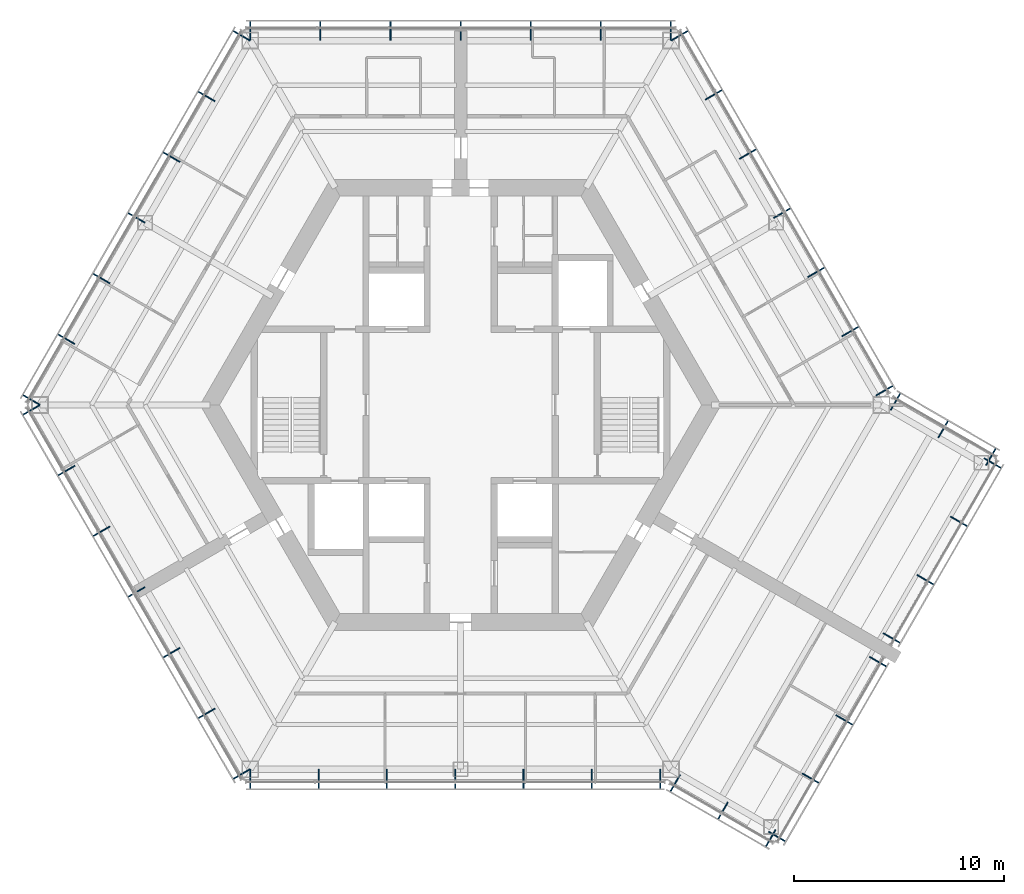
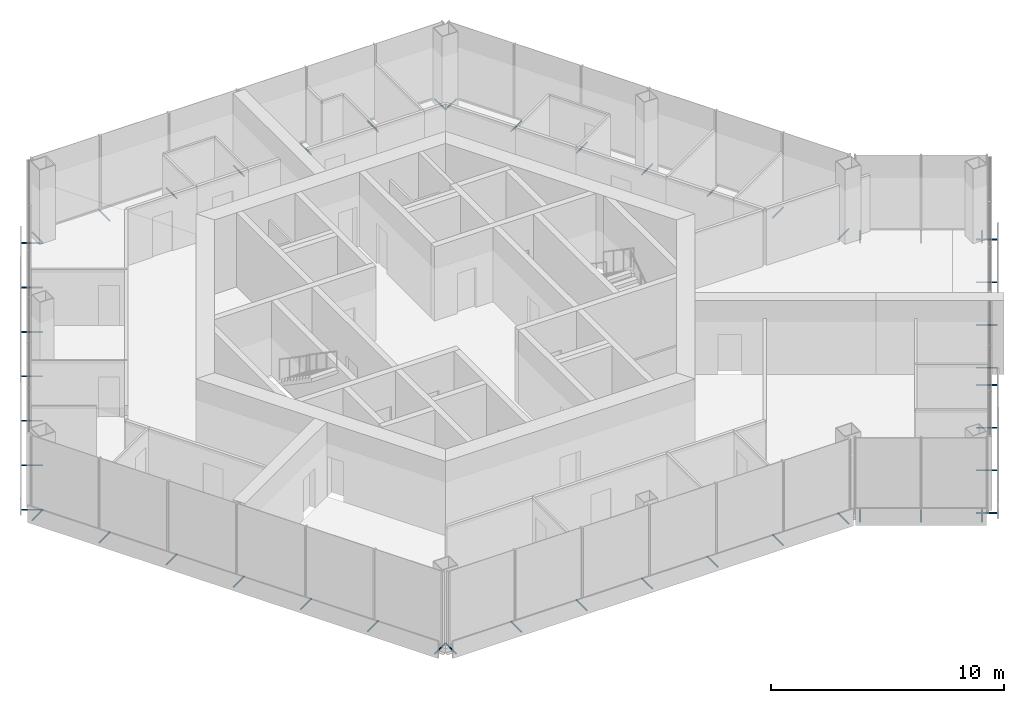
# One storey, part 11 of 13: 49 discrete accessories.
"""IFC4 building model written with IfcOpenShell, lengths in metres."""

from ifc_helpers import new_model, si_unit, direction, frame, origin, origin_2d, place, context, subcontext, project, spatial, hollow_circle, extrude, material, material_profile, profile_set, type_object, element, save


model = new_model("IFC4")

# Units and contexts
model_context = context("Model", 3, precision=1e-05, world=origin(), true_north=direction((0.0, 1.0)))
body_context = subcontext(model_context, "Body", "Model", "MODEL_VIEW")
ifc_project = project(units=[si_unit("LENGTHUNIT", "METRE"), si_unit("AREAUNIT", "SQUARE_METRE"), si_unit("VOLUMEUNIT", "CUBIC_METRE"), si_unit("PLANEANGLEUNIT", "RADIAN"), si_unit("MASSUNIT", "GRAM", prefix="KILO")], contexts=[model_context])

# Site, building, storey
site_placement = place(None, origin())
site = spatial("IfcSite", under=ifc_project, at=site_placement, CompositionType="ELEMENT")
building_placement = place(site_placement, origin())
building = spatial("IfcBuilding", under=site, at=building_placement, Name="Kasaneha Research Tower", CompositionType="ELEMENT")
storey_placement = place(building_placement, frame((0.0, 0.0, 279.10009765625)))
storey = spatial("IfcBuildingStorey", under=building, at=storey_placement, Name="L70", CompositionType="ELEMENT", Elevation=279.10009765625)

# Discrete accessories
ifc_material = material(Name="Steel STK400", Category="steel")
ifc_material_profile = material_profile(ifc_material, hollow_circle(Radius=0.0380859375, WallThickness=0.00390625, at=origin_2d()), Name="CHS-76.3x4.0")
ifc_profile_set = profile_set([ifc_material_profile], Name="Steel STK400")
discrete_accessory_type = type_object("IfcDiscreteAccessoryType", Name="Screen bracket CHS-76.3x4.0", PredefinedType="BRACKET", material=ifc_profile_set)
for number, where, z_axis, x_axis, name in (
    (1, (19.74462890625, 0.4423828125, -0.300048828125), (0.866013213425, 0.500021113727, 0.0), (-0.500021113727, 0.866013213425, 0.0), "Screen bracket 1"),
    (2, (18.120849609375, 3.2548828125, -0.300048828125), (0.866013213425, 0.500021113727, 0.0), (-0.500021113727, 0.866013213425, 0.0), "Screen bracket 2"),
    (3, (16.4970703125, 6.0673828125, -0.300048828125), (0.866013213425, 0.500021113727, 0.0), (-0.500021113727, 0.866013213425, 0.0), "Screen bracket 3"),
    (4, (14.873291015625, 8.8798828125, -0.300048828125), (0.866013213425, 0.500021113727, 0.0), (-0.500021113727, 0.866013213425, 0.0), "Screen bracket 4"),
    (5, (13.24951171875, 11.6923828125, -0.300048828125), (0.866013213425, 0.500021113727, 0.0), (-0.500021113727, 0.866013213425, 0.0), "Screen bracket 5"),
):
    element("IfcDiscreteAccessory", number, at=place(storey_placement, frame(where, z_axis=z_axis, x_axis=x_axis)), inside=storey, type_object=discrete_accessory_type, Name=name, PredefinedType="BRACKET", context=body_context, shape_type="SweptSolid", body=[
        extrude(hollow_circle(Radius=0.0380859375, WallThickness=0.00390625, at=origin_2d()), origin(), (0.0, 0.0, 1.0), 0.919921875),
    ])
for number, where, z_axis, x_axis, name in (
    (6, (11.62548828125, 14.5048828125, -0.300048828125), (0.866079547155, 0.499906209203, 0.0), (-0.499906209203, 0.866079547155, 0.0), "Screen bracket 6"),
    (7, (10.001708984375, 17.3173828125, -0.300048828125), (0.866079547155, 0.499906209203, 0.0), (-0.499906209203, 0.866079547155, 0.0), "Screen bracket 7"),
):
    element("IfcDiscreteAccessory", number, at=place(storey_placement, frame(where, z_axis=z_axis, x_axis=x_axis)), inside=storey, type_object=discrete_accessory_type, Name=name, PredefinedType="BRACKET", context=body_context, shape_type="SweptSolid", body=[
        extrude(hollow_circle(Radius=0.0380859375, WallThickness=0.00390625, at=origin_2d()), origin(), (0.0, 0.0, 1.0), 0.920166015625),
    ])
for number, where, z_axis, x_axis, name in (
    (8, (9.996337890625, 17.320556640625, -0.300048828125), (0.0, 1.0, 0.0), (-1.0, 0.0, 0.0), "Screen bracket 1"),
    (9, (6.664306640625, 17.320556640625, -0.300048828125), (0.0, 1.0, 0.0), (-1.0, 0.0, 0.0), "Screen bracket 2"),
    (10, (3.33203125, 17.320556640625, -0.300048828125), (0.0, 1.0, 0.0), (-1.0, 0.0, 0.0), "Screen bracket 3"),
    (11, (0.0, 17.320556640625, -0.300048828125), (0.0, 1.0, 0.0), (-1.0, 0.0, 0.0), "Screen bracket 4"),
    (12, (-3.33203125, 17.320556640625, -0.300048828125), (0.0, 1.0, 0.0), (-1.0, 0.0, 0.0), "Screen bracket 5"),
    (13, (-6.664306640625, 17.320556640625, -0.300048828125), (0.0, 1.0, 0.0), (-1.0, 0.0, 0.0), "Screen bracket 6"),
    (14, (-9.996337890625, 17.320556640625, -0.300048828125), (0.0, 1.0, 0.0), (-1.0, 0.0, 0.0), "Screen bracket 7"),
):
    element("IfcDiscreteAccessory", number, at=place(storey_placement, frame(where, z_axis=z_axis, x_axis=x_axis)), inside=storey, type_object=discrete_accessory_type, Name=name, PredefinedType="BRACKET", context=body_context, shape_type="SweptSolid", body=[
        extrude(hollow_circle(Radius=0.0380859375, WallThickness=0.00390625, at=origin_2d()), origin(), (0.0, 0.0, 1.0), 0.919921875),
    ])
discrete_accessory_1_placement = place(storey_placement, frame((-10.001708984375, 17.3173828125, -0.300048828125), z_axis=(-0.866079547155, 0.499906209203, 0.0), x_axis=(-0.499906209203, -0.866079547155, 0.0)))
element("IfcDiscreteAccessory", 15, at=discrete_accessory_1_placement, inside=storey, type_object=discrete_accessory_type, Name="Screen bracket 1", PredefinedType="BRACKET", context=body_context, shape_type="SweptSolid", body=[
    extrude(hollow_circle(Radius=0.0380859375, WallThickness=0.00390625, at=origin_2d()), origin(), (0.0, 0.0, 1.0), 0.920166015625),
])
for number, where, z_axis, x_axis, name in (
    (16, (-11.66796875, 14.431640625, -0.300048828125), (-0.866013213425, 0.500021113727, 0.0), (-0.500021113727, -0.866013213425, 0.0), "Screen bracket 2"),
    (17, (-13.333984375, 11.5458984375, -0.300048828125), (-0.866013213425, 0.500021113727, 0.0), (-0.500021113727, -0.866013213425, 0.0), "Screen bracket 3"),
    (18, (-15.0, 8.66015625, -0.300048828125), (-0.865898279276, 0.500220121494, 0.0), (-0.500220121494, -0.865898279276, 0.0), "Screen bracket 4"),
):
    element("IfcDiscreteAccessory", number, at=place(storey_placement, frame(where, z_axis=z_axis, x_axis=x_axis)), inside=storey, type_object=discrete_accessory_type, Name=name, PredefinedType="BRACKET", context=body_context, shape_type="SweptSolid", body=[
        extrude(hollow_circle(Radius=0.0380859375, WallThickness=0.00390625, at=origin_2d()), origin(), (0.0, 0.0, 1.0), 0.919921875),
    ])
for number, where, z_axis, x_axis, name in (
    (19, (-16.666015625, 5.774658203125, -0.300048828125), (-0.866079547155, 0.499906209203, 0.0), (-0.499906209203, -0.866079547155, 0.0), "Screen bracket 5"),
    (20, (-18.33203125, 2.888916015625, -0.300048828125), (-0.866079547155, 0.499906209203, 0.0), (-0.499906209203, -0.866079547155, 0.0), "Screen bracket 6"),
):
    element("IfcDiscreteAccessory", number, at=place(storey_placement, frame(where, z_axis=z_axis, x_axis=x_axis)), inside=storey, type_object=discrete_accessory_type, Name=name, PredefinedType="BRACKET", context=body_context, shape_type="SweptSolid", body=[
        extrude(hollow_circle(Radius=0.0380859375, WallThickness=0.00390625, at=origin_2d()), origin(), (0.0, 0.0, 1.0), 0.920166015625),
    ])
for number, where, z_axis, x_axis, name in (
    (21, (-19.998291015625, 0.003173828125, -0.300048828125), (-0.866013213425, 0.500021113727, 0.0), (-0.500021113727, -0.866013213425, 0.0), "Screen bracket 7"),
    (22, (-19.998291015625, -0.003173828125, -0.300048828125), (-0.866013213425, -0.500021113727, 0.0), (0.500021113727, -0.866013213425, 0.0), "Screen bracket 1"),
):
    element("IfcDiscreteAccessory", number, at=place(storey_placement, frame(where, z_axis=z_axis, x_axis=x_axis)), inside=storey, type_object=discrete_accessory_type, Name=name, PredefinedType="BRACKET", context=body_context, shape_type="SweptSolid", body=[
        extrude(hollow_circle(Radius=0.0380859375, WallThickness=0.00390625, at=origin_2d()), origin(), (0.0, 0.0, 1.0), 0.919921875),
    ])
for number, where, z_axis, x_axis, name in (
    (23, (-18.33203125, -2.888916015625, -0.300048828125), (-0.866079547155, -0.499906209203, 0.0), (0.499906209203, -0.866079547155, 0.0), "Screen bracket 2"),
    (24, (-16.666015625, -5.774658203125, -0.300048828125), (-0.866079547155, -0.499906209203, 0.0), (0.499906209203, -0.866079547155, 0.0), "Screen bracket 3"),
):
    element("IfcDiscreteAccessory", number, at=place(storey_placement, frame(where, z_axis=z_axis, x_axis=x_axis)), inside=storey, type_object=discrete_accessory_type, Name=name, PredefinedType="BRACKET", context=body_context, shape_type="SweptSolid", body=[
        extrude(hollow_circle(Radius=0.0380859375, WallThickness=0.00390625, at=origin_2d()), origin(), (0.0, 0.0, 1.0), 0.920166015625),
    ])
for number, where, z_axis, x_axis, name in (
    (25, (-15.0, -8.66015625, -0.300048828125), (-0.865898279276, -0.500220121494, 0.0), (0.500220121494, -0.865898279276, 0.0), "Screen bracket 4"),
    (26, (-13.333984375, -11.5458984375, -0.300048828125), (-0.866013213425, -0.500021113727, 0.0), (0.500021113727, -0.866013213425, 0.0), "Screen bracket 5"),
    (27, (-11.66796875, -14.431640625, -0.300048828125), (-0.866013213425, -0.500021113727, 0.0), (0.500021113727, -0.866013213425, 0.0), "Screen bracket 6"),
):
    element("IfcDiscreteAccessory", number, at=place(storey_placement, frame(where, z_axis=z_axis, x_axis=x_axis)), inside=storey, type_object=discrete_accessory_type, Name=name, PredefinedType="BRACKET", context=body_context, shape_type="SweptSolid", body=[
        extrude(hollow_circle(Radius=0.0380859375, WallThickness=0.00390625, at=origin_2d()), origin(), (0.0, 0.0, 1.0), 0.919921875),
    ])
discrete_accessory_2_placement = place(storey_placement, frame((-10.001708984375, -17.3173828125, -0.300048828125), z_axis=(-0.866079547155, -0.499906209203, 0.0), x_axis=(0.499906209203, -0.866079547155, 0.0)))
element("IfcDiscreteAccessory", 28, at=discrete_accessory_2_placement, inside=storey, type_object=discrete_accessory_type, Name="Screen bracket 7", PredefinedType="BRACKET", context=body_context, shape_type="SweptSolid", body=[
    extrude(hollow_circle(Radius=0.0380859375, WallThickness=0.00390625, at=origin_2d()), origin(), (0.0, 0.0, 1.0), 0.920166015625),
])
for number, where, z_axis, x_axis, name in (
    (29, (-9.996337890625, -17.320556640625, -0.300048828125), (0.0, -1.0, 0.0), (1.0, 0.0, 0.0), "Screen bracket 1"),
    (30, (-6.748779296875, -17.320556640625, -0.300048828125), (0.0, -1.0, 0.0), (1.0, 0.0, 0.0), "Screen bracket 2"),
    (31, (-3.501220703125, -17.320556640625, -0.300048828125), (0.0, -1.0, 0.0), (1.0, 0.0, 0.0), "Screen bracket 3"),
    (32, (-0.253662109375, -17.320556640625, -0.300048828125), (0.0, -1.0, 0.0), (1.0, 0.0, 0.0), "Screen bracket 4"),
    (33, (2.993896484375, -17.320556640625, -0.300048828125), (0.0, -1.0, 0.0), (1.0, 0.0, 0.0), "Screen bracket 5"),
    (34, (6.24169921875, -17.320556640625, -0.300048828125), (0.0, -1.0, 0.0), (1.0, 0.0, 0.0), "Screen bracket 6"),
    (35, (9.4892578125, -17.320556640625, -0.300048828125), (0.0, -1.0, 0.0), (1.0, 0.0, 0.0), "Screen bracket 7"),
    (36, (10.4423828125, -17.575927734375, -0.300048828125), (-0.500021113727, -0.866013213425, 0.0), (0.866013213425, -0.500021113727, 0.0), "Screen bracket 1"),
    (37, (12.7109375, -18.8857421875, -0.300048828125), (-0.500021113727, -0.866013213425, 0.0), (0.866013213425, -0.500021113727, 0.0), "Screen bracket 2"),
    (38, (14.979736328125, -20.195556640625, -0.300048828125), (-0.500220121494, -0.865898279276, 0.0), (0.865898279276, -0.500220121494, 0.0), "Screen bracket 3"),
    (39, (14.63818359375, -20.287109375, -0.300048828125), (0.866013213425, -0.500021113727, 0.0), (0.500021113727, 0.866013213425, 0.0), "Screen bracket 1"),
):
    element("IfcDiscreteAccessory", number, at=place(storey_placement, frame(where, z_axis=z_axis, x_axis=x_axis)), inside=storey, type_object=discrete_accessory_type, Name=name, PredefinedType="BRACKET", context=body_context, shape_type="SweptSolid", body=[
        extrude(hollow_circle(Radius=0.0380859375, WallThickness=0.00390625, at=origin_2d()), origin(), (0.0, 0.0, 1.0), 0.919921875),
    ])
discrete_accessory_3_placement = place(storey_placement, frame((16.238037109375, -17.515625, -0.300048828125), z_axis=(0.865964657013, -0.500105201737, 0.0), x_axis=(0.500105201737, 0.865964657013, 0.0)))
element("IfcDiscreteAccessory", 40, at=discrete_accessory_3_placement, inside=storey, type_object=discrete_accessory_type, Name="Screen bracket 2", PredefinedType="BRACKET", context=body_context, shape_type="SweptSolid", body=[
    extrude(hollow_circle(Radius=0.0380859375, WallThickness=0.00390625, at=origin_2d()), origin(), (0.0, 0.0, 1.0), 0.920166015625),
])
for number, where, z_axis, x_axis, name in (
    (41, (17.838134765625, -14.744384765625, -0.300048828125), (0.866013213425, -0.500021113727, 0.0), (0.500021113727, 0.866013213425, 0.0), "Screen bracket 3"),
    (42, (19.438232421875, -11.97314453125, -0.300048828125), (0.866013213425, -0.500021113727, 0.0), (0.500021113727, 0.866013213425, 0.0), "Screen bracket 4"),
    (43, (20.088134765625, -10.847412109375, -0.300048828125), (0.866013213425, -0.500021113727, 0.0), (0.500021113727, 0.866013213425, 0.0), "Screen bracket 1"),
    (44, (21.688232421875, -8.076171875, -0.300048828125), (0.866013213425, -0.500021113727, 0.0), (0.500021113727, 0.866013213425, 0.0), "Screen bracket 2"),
):
    element("IfcDiscreteAccessory", number, at=place(storey_placement, frame(where, z_axis=z_axis, x_axis=x_axis)), inside=storey, type_object=discrete_accessory_type, Name=name, PredefinedType="BRACKET", context=body_context, shape_type="SweptSolid", body=[
        extrude(hollow_circle(Radius=0.0380859375, WallThickness=0.00390625, at=origin_2d()), origin(), (0.0, 0.0, 1.0), 0.919921875),
    ])
discrete_accessory_4_placement = place(storey_placement, frame((23.2880859375, -5.3046875, -0.300048828125), z_axis=(0.865964657013, -0.500105201737, 0.0), x_axis=(0.500105201737, 0.865964657013, 0.0)))
element("IfcDiscreteAccessory", 45, at=discrete_accessory_4_placement, inside=storey, type_object=discrete_accessory_type, Name="Screen bracket 3", PredefinedType="BRACKET", context=body_context, shape_type="SweptSolid", body=[
    extrude(hollow_circle(Radius=0.0380859375, WallThickness=0.00390625, at=origin_2d()), origin(), (0.0, 0.0, 1.0), 0.920166015625),
])
for number, where, z_axis, x_axis, name in (
    (46, (24.88818359375, -2.533447265625, -0.300048828125), (0.866013213425, -0.500021113727, 0.0), (0.500021113727, 0.866013213425, 0.0), "Screen bracket 4"),
    (47, (24.979736328125, -2.875, -0.300048828125), (0.500021113727, 0.866013213425, 0.0), (-0.866013213425, 0.500021113727, 0.0), "Screen bracket 1"),
    (48, (22.7109375, -1.565185546875, -0.300048828125), (0.500021113727, 0.866013213425, 0.0), (-0.866013213425, 0.500021113727, 0.0), "Screen bracket 2"),
    (49, (20.4423828125, -0.25537109375, -0.300048828125), (0.500021113727, 0.866013213425, 0.0), (-0.866013213425, 0.500021113727, 0.0), "Screen bracket 3"),
):
    element("IfcDiscreteAccessory", number, at=place(storey_placement, frame(where, z_axis=z_axis, x_axis=x_axis)), inside=storey, type_object=discrete_accessory_type, Name=name, PredefinedType="BRACKET", context=body_context, shape_type="SweptSolid", body=[
        extrude(hollow_circle(Radius=0.0380859375, WallThickness=0.00390625, at=origin_2d()), origin(), (0.0, 0.0, 1.0), 0.919921875),
    ])

save(model, "model.ifc")
